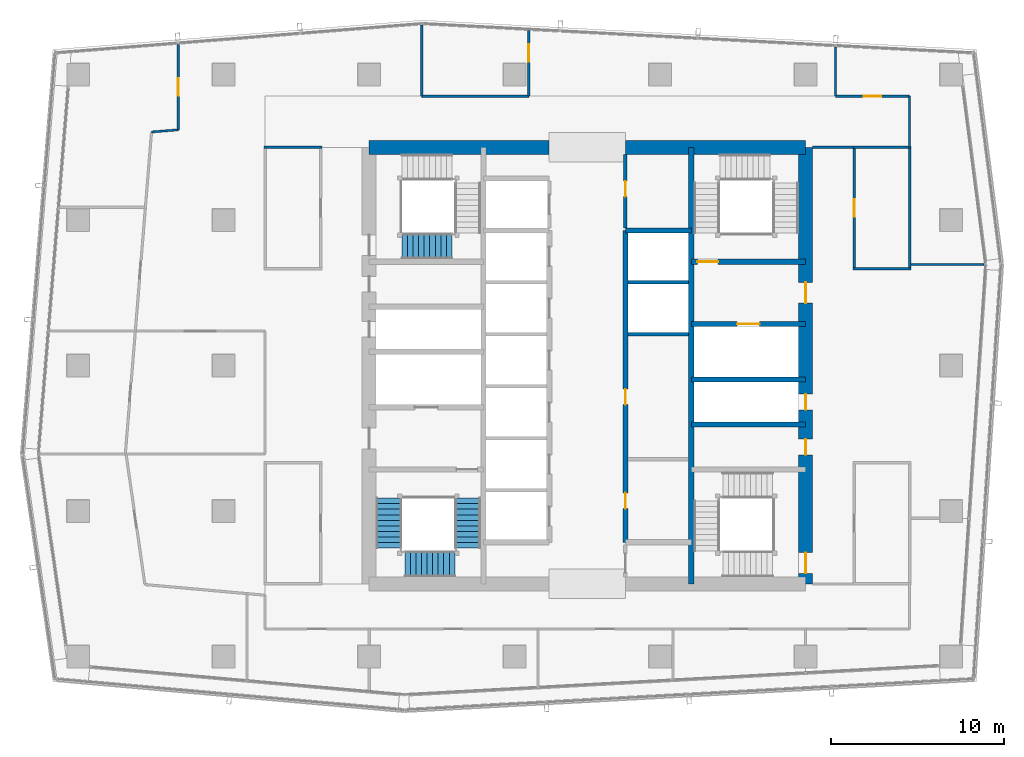
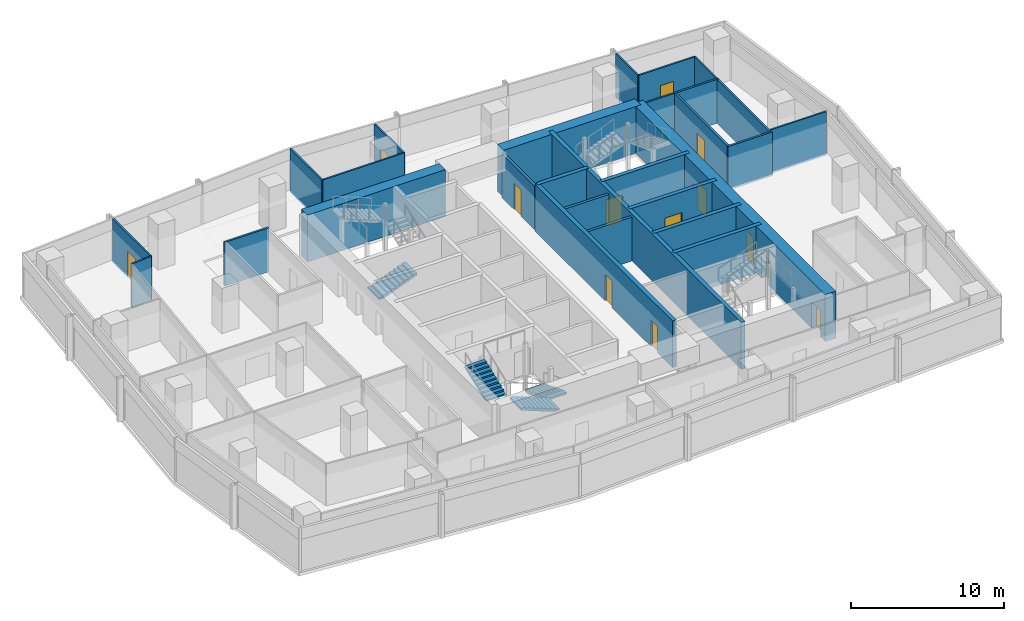
# One storey, part 24 of 30: 28 walls, 13 doors, 4 stair flights, 13 openings, 2 elements without a shape of their own.
"""IFC4 building model written with IfcOpenShell, lengths in metres."""

from ifc_helpers import new_model, si_unit, direction, frame, frame_2d, origin, place, context, subcontext, project, spatial, polyline, rectangle, outline, extrude, material, layer, layer_set, type_object, element, fill, aggregate, save


model = new_model("IFC4")

# Units and contexts
model_context = context("Model", 3, precision=1e-05, world=origin(), true_north=direction((0.0, 1.0)))
body_context = subcontext(model_context, "Body", "Model", "MODEL_VIEW")
ifc_project = project(units=[si_unit("LENGTHUNIT", "METRE"), si_unit("AREAUNIT", "SQUARE_METRE"), si_unit("VOLUMEUNIT", "CUBIC_METRE"), si_unit("PLANEANGLEUNIT", "RADIAN"), si_unit("MASSUNIT", "GRAM", prefix="KILO")], contexts=[model_context])

# Site, building, storey
site_placement = place(None, origin())
site = spatial("IfcSite", under=ifc_project, at=site_placement, CompositionType="ELEMENT")
building_placement = place(site_placement, origin())
building = spatial("IfcBuilding", under=site, at=building_placement, Name="Rekha Terrace Tower", CompositionType="ELEMENT")
storey_placement = place(building_placement, frame((0.0, 0.0, 265.10009765625)))
storey = spatial("IfcBuildingStorey", under=building, at=storey_placement, Name="L67", CompositionType="ELEMENT", Elevation=265.10009765625)

# Wall
ifc_material_1 = material(Name="Concrete M60", Category="concrete")
ifc_layer_1 = layer(ifc_material_1, 0.300048828125)
ifc_layer_set_1 = layer_set([ifc_layer_1], Name="Concrete M60")
wall_type_1 = type_object("IfcWallType", Name="CI5 300 core internal shear wall", PredefinedType="SHEAR", material=ifc_layer_set_1)
wall_1_placement = place(storey_placement, frame((43.800048828125, 21.0, 0.0), z_axis=(0.0, 0.0, 1.0), x_axis=(0.0, 1.0, 0.0)))
element("IfcWall", 1, at=wall_1_placement, inside=storey, type_object=wall_type_1, Name="Core wall X438 L67", PredefinedType="SHEAR", context=body_context, shape_type="SweptSolid", body=[
    extrude(rectangle(XDim=25.199951171875, YDim=0.300048828125, at=frame_2d((12.60009765625, 0.0))), origin(), (0.0, 0.0, 1.0), 3.75),
])

# Wall, openings, doors
wall_2_placement = place(storey_placement, frame((40.0, 23.39990234375, 0.0), z_axis=(0.0, 0.0, 1.0), x_axis=(0.0, 1.0, 0.0)))
wall_2 = element("IfcWall", 2, at=wall_2_placement, inside=storey, type_object=wall_type_1, Name="Core wall X400 L67", PredefinedType="SHEAR", context=body_context, shape_type="SweptSolid", body=[
    extrude(rectangle(XDim=18.0, YDim=0.300048828125, at=frame_2d((9.0, 0.0))), origin(), (0.0, 0.0, 1.0), 3.75),
])
opening_1_placement = place(wall_2_placement, frame((1.949951171875, 0.0, 0.0)))
opening_1 = element("IfcOpeningElement", 3, at=opening_1_placement, cuts=wall_2, Name="Opening D5", PredefinedType="OPENING", context=body_context, shape_type="SweptSolid", body=[
    extrude(rectangle(XDim=0.89990234375, YDim=2.10009765625, at=frame_2d((0.449951171875, 1.050048828125))), frame((0.0, 0.159912109375, 0.0), z_axis=(0.0, -1.0, 0.0), x_axis=(1.0, 0.0, 0.0)), (0.0, 0.0, 1.0), 0.320068359375),
])
opening_2_placement = place(wall_2_placement, frame((7.949951171875, 0.0, 0.0)))
opening_2 = element("IfcOpeningElement", 4, at=opening_2_placement, cuts=wall_2, Name="Opening D5", PredefinedType="OPENING", context=body_context, shape_type="SweptSolid", body=[
    extrude(rectangle(XDim=0.89990234375, YDim=2.10009765625, at=frame_2d((0.449951171875, 1.050048828125))), frame((0.0, 0.159912109375, 0.0), z_axis=(0.0, -1.0, 0.0), x_axis=(1.0, 0.0, 0.0)), (0.0, 0.0, 1.0), 0.320068359375),
])
ifc_material_2 = material(Name="Steel fire door", Category="steel")
door_type_1 = type_object("IfcDoorType", Name="D5 900x2100 riser access door", OperationType="SINGLE_SWING_LEFT", PredefinedType="DOOR", material=ifc_material_2)
door_1_placement = place(opening_1_placement, origin())
door_1 = element("IfcDoor", 5, at=door_1_placement, inside=storey, type_object=door_type_1, Name="Door records store L67", OperationType="SINGLE_SWING_LEFT", OverallHeight=2.10009765625, OverallWidth=0.89990234375, PredefinedType="DOOR", context=body_context, shape_type="SweptSolid", body=[
    extrude(rectangle(XDim=0.89990234375, YDim=2.10009765625, at=frame_2d((0.449951171875, 1.050048828125))), frame((0.0, 0.02490234375, 0.0), z_axis=(0.0, -1.0, 0.0), x_axis=(1.0, 0.0, 0.0)), (0.0, 0.0, 1.0), 0.050048828125),
])
fill(opening_1, door_1)
door_2_placement = place(opening_2_placement, origin())
door_2 = element("IfcDoor", 6, at=door_2_placement, inside=storey, type_object=door_type_1, Name="Door back-of-house store L67", OperationType="SINGLE_SWING_LEFT", OverallHeight=2.10009765625, OverallWidth=0.89990234375, PredefinedType="DOOR", context=body_context, shape_type="SweptSolid", body=[
    extrude(rectangle(XDim=0.89990234375, YDim=2.10009765625, at=frame_2d((0.449951171875, 1.050048828125))), frame((0.0, 0.02490234375, 0.0), z_axis=(0.0, -1.0, 0.0), x_axis=(1.0, 0.0, 0.0)), (0.0, 0.0, 1.0), 0.050048828125),
])
fill(opening_2, door_2)

# Walls
wall_3_placement = place(storey_placement, frame((40.0, 41.39990234375, 0.0), z_axis=(0.0, 0.0, 1.0), x_axis=(1.0, 0.0, 0.0)))
element("IfcWall", 7, at=wall_3_placement, inside=storey, type_object=wall_type_1, Name="Core wall Y414E L67", PredefinedType="SHEAR", context=body_context, shape_type="SweptSolid", body=[
    extrude(rectangle(XDim=3.800048828125, YDim=0.300048828125, at=frame_2d((1.89990234375, 0.0))), origin(), (0.0, 0.0, 1.0), 3.75),
])
for number, where, z_axis, x_axis, name in (
    (8, (43.800048828125, 30.199951171875, 0.0), (0.0, 0.0, 1.0), (1.0, 0.0, 0.0), "Core wall Y302E L67"),
    (9, (43.800048828125, 32.800048828125, 0.0), (0.0, 0.0, 1.0), (1.0, 0.0, 0.0), "Core wall Y328E L67"),
):
    element("IfcWall", number, at=place(storey_placement, frame(where, z_axis=z_axis, x_axis=x_axis)), inside=storey, type_object=wall_type_1, Name=name, PredefinedType="SHEAR", context=body_context, shape_type="SweptSolid", body=[
        extrude(rectangle(XDim=6.599853515625, YDim=0.300048828125, at=frame_2d((3.2998046875, 0.0))), origin(), (0.0, 0.0, 1.0), 3.75),
    ])

# Wall, opening, door
wall_4_placement = place(storey_placement, frame((43.800048828125, 36.0, 0.0), z_axis=(0.0, 0.0, 1.0), x_axis=(1.0, 0.0, 0.0)))
wall_4 = element("IfcWall", 10, at=wall_4_placement, inside=storey, type_object=wall_type_1, Name="Core wall Y360E L67", PredefinedType="SHEAR", context=body_context, shape_type="SweptSolid", body=[
    extrude(rectangle(XDim=6.599853515625, YDim=0.300048828125, at=frame_2d((3.2998046875, 0.0))), origin(), (0.0, 0.0, 1.0), 3.75),
])
opening_3_placement = place(wall_4_placement, frame((2.64990234375, 0.0, 0.0)))
opening_3 = element("IfcOpeningElement", 11, at=opening_3_placement, cuts=wall_4, Name="Opening LD2", PredefinedType="OPENING", context=body_context, shape_type="SweptSolid", body=[
    extrude(rectangle(XDim=1.300048828125, YDim=2.10009765625, at=frame_2d((0.64990234375, 1.050048828125))), frame((0.0, 0.159912109375, 0.0), z_axis=(0.0, -1.0, 0.0), x_axis=(1.0, 0.0, 0.0)), (0.0, 0.0, 1.0), 0.320068359375),
])
ifc_material_3 = material(Name="Stainless steel sliding landing door", Category="steel")
door_type_2 = type_object("IfcDoorType", Name="LD2 1300x2100 fire lift landing door", OperationType="SLIDING_TO_LEFT", PredefinedType="USERDEFINED", material=ifc_material_3)
door_3_placement = place(opening_3_placement, origin())
door_3 = element("IfcDoor", 12, at=door_3_placement, inside=storey, type_object=door_type_2, Name="Lift FL2 landing door L67", ObjectType="LIFT LANDING DOOR", OperationType="SLIDING_TO_LEFT", OverallHeight=2.10009765625, OverallWidth=1.300048828125, PredefinedType="USERDEFINED", context=body_context, shape_type="SweptSolid", body=[
    extrude(rectangle(XDim=1.300048828125, YDim=2.10009765625, at=frame_2d((0.64990234375, 1.050048828125))), frame((0.0, 0.02490234375, 0.0), z_axis=(0.0, -1.0, 0.0), x_axis=(1.0, 0.0, 0.0)), (0.0, 0.0, 1.0), 0.050048828125),
])
fill(opening_3, door_3)

wall_5_placement = place(storey_placement, frame((43.800048828125, 39.60009765625, 0.0), z_axis=(0.0, 0.0, 1.0), x_axis=(1.0, 0.0, 0.0)))
wall_5 = element("IfcWall", 13, at=wall_5_placement, inside=storey, type_object=wall_type_1, Name="Core wall Y396E L67", PredefinedType="SHEAR", context=body_context, shape_type="SweptSolid", body=[
    extrude(rectangle(XDim=6.599853515625, YDim=0.300048828125, at=frame_2d((3.2998046875, 0.0))), origin(), (0.0, 0.0, 1.0), 3.75),
])
opening_4_placement = place(wall_5_placement, frame((0.35009765625, 0.0, 0.0)))
opening_4 = element("IfcOpeningElement", 14, at=opening_4_placement, cuts=wall_5, Name="Opening D1", PredefinedType="OPENING", context=body_context, shape_type="SweptSolid", body=[
    extrude(rectangle(XDim=1.199951171875, YDim=2.10009765625, at=frame_2d((0.60009765625, 1.050048828125))), frame((0.0, 0.159912109375, 0.0), z_axis=(0.0, -1.0, 0.0), x_axis=(1.0, 0.0, 0.0)), (0.0, 0.0, 1.0), 0.320068359375),
])
door_type_3 = type_object("IfcDoorType", Name="D1 1200x2100 stair fire door", OperationType="SINGLE_SWING_RIGHT", PredefinedType="DOOR", material=ifc_material_2)
door_4_placement = place(opening_4_placement, origin())
door_4 = element("IfcDoor", 15, at=door_4_placement, inside=storey, type_object=door_type_3, Name="Stair ST2 door L67", OperationType="SINGLE_SWING_RIGHT", OverallHeight=2.10009765625, OverallWidth=1.199951171875, PredefinedType="DOOR", context=body_context, shape_type="SweptSolid", body=[
    extrude(rectangle(XDim=1.199951171875, YDim=2.10009765625, at=frame_2d((0.60009765625, 1.050048828125))), frame((0.0, 0.02490234375, 0.0), z_axis=(0.0, -1.0, 0.0), x_axis=(1.0, 0.0, 0.0)), (0.0, 0.0, 1.0), 0.050048828125),
])
fill(opening_4, door_4)

# Walls
ifc_layer_2 = layer(ifc_material_1, 0.800048828125)
ifc_layer_set_2 = layer_set([ifc_layer_2], Name="Concrete M60")
wall_type_2 = type_object("IfcWallType", Name="SW5 800 core outer shear wall", PredefinedType="SHEAR", material=ifc_layer_set_2)
wall_6_placement = place(storey_placement, frame((25.199951171875, 46.199951171875, 0.0), z_axis=(0.0, 0.0, 1.0), x_axis=(1.0, 0.0, 0.0)))
element("IfcWall", 16, at=wall_6_placement, inside=storey, type_object=wall_type_2, Name="Core wall N1 L67", PredefinedType="SHEAR", context=body_context, shape_type="SweptSolid", body=[
    extrude(rectangle(XDim=10.400146484375, YDim=0.800048828125, at=frame_2d((5.2001953125, 0.0))), origin(), (0.0, 0.0, 1.0), 3.75),
])
wall_7_placement = place(storey_placement, frame((40.0, 46.199951171875, 0.0), z_axis=(0.0, 0.0, 1.0), x_axis=(1.0, 0.0, 0.0)))
element("IfcWall", 17, at=wall_7_placement, inside=storey, type_object=wall_type_2, Name="Core wall N2 L67", PredefinedType="SHEAR", context=body_context, shape_type="SweptSolid", body=[
    extrude(rectangle(XDim=10.39990234375, YDim=0.800048828125, at=frame_2d((5.199951171875, 0.0))), origin(), (0.0, 0.0, 1.0), 3.75),
])

# Wall, openings, doors
wall_8_placement = place(storey_placement, frame((50.39990234375, 21.0, 0.0), z_axis=(0.0, 0.0, 1.0), x_axis=(0.0, 1.0, 0.0)))
wall_8 = element("IfcWall", 18, at=wall_8_placement, inside=storey, type_object=wall_type_2, Name="Core wall E L67", PredefinedType="SHEAR", context=body_context, shape_type="SweptSolid", body=[
    extrude(rectangle(XDim=25.199951171875, YDim=0.800048828125, at=frame_2d((12.60009765625, 0.0))), origin(), (0.0, 0.0, 1.0), 3.75),
])
opening_5_placement = place(wall_8_placement, frame((16.199951171875, 0.0, 0.0)))
opening_5 = element("IfcOpeningElement", 19, at=opening_5_placement, cuts=wall_8, Name="Opening D2", PredefinedType="OPENING", context=body_context, shape_type="SweptSolid", body=[
    extrude(rectangle(XDim=1.199951171875, YDim=2.10009765625, at=frame_2d((0.60009765625, 1.050048828125))), frame((0.0, 0.409912109375, 0.0), z_axis=(0.0, -1.0, 0.0), x_axis=(1.0, 0.0, 0.0)), (0.0, 0.0, 1.0), 0.820068359375),
])
opening_6_placement = place(wall_8_placement, frame((10.050048828125, 0.0, 0.0)))
opening_6 = element("IfcOpeningElement", 20, at=opening_6_placement, cuts=wall_8, Name="Opening D5", PredefinedType="OPENING", context=body_context, shape_type="SweptSolid", body=[
    extrude(rectangle(XDim=0.89990234375, YDim=2.10009765625, at=frame_2d((0.449951171875, 1.050048828125))), frame((0.0, 0.409912109375, 0.0), z_axis=(0.0, -1.0, 0.0), x_axis=(1.0, 0.0, 0.0)), (0.0, 0.0, 1.0), 0.820068359375),
])
opening_7_placement = place(wall_8_placement, frame((7.449951171875, 0.0, 0.0)))
opening_7 = element("IfcOpeningElement", 21, at=opening_7_placement, cuts=wall_8, Name="Opening D5", PredefinedType="OPENING", context=body_context, shape_type="SweptSolid", body=[
    extrude(rectangle(XDim=0.89990234375, YDim=2.10009765625, at=frame_2d((0.449951171875, 1.050048828125))), frame((0.0, 0.409912109375, 0.0), z_axis=(0.0, -1.0, 0.0), x_axis=(1.0, 0.0, 0.0)), (0.0, 0.0, 1.0), 0.820068359375),
])
opening_8_placement = place(wall_8_placement, frame((0.60009765625, 0.0, 0.0)))
opening_8 = element("IfcOpeningElement", 22, at=opening_8_placement, cuts=wall_8, Name="Opening D1", PredefinedType="OPENING", context=body_context, shape_type="SweptSolid", body=[
    extrude(rectangle(XDim=1.199951171875, YDim=2.10009765625, at=frame_2d((0.60009765625, 1.050048828125))), frame((0.0, 0.409912109375, 0.0), z_axis=(0.0, -1.0, 0.0), x_axis=(1.0, 0.0, 0.0)), (0.0, 0.0, 1.0), 0.820068359375),
])
door_5_placement = place(opening_8_placement, origin())
door_5 = element("IfcDoor", 23, at=door_5_placement, inside=storey, type_object=door_type_3, Name="Stair ST3 door L67", OperationType="SINGLE_SWING_RIGHT", OverallHeight=2.10009765625, OverallWidth=1.199951171875, PredefinedType="DOOR", context=body_context, shape_type="SweptSolid", body=[
    extrude(rectangle(XDim=1.199951171875, YDim=2.10009765625, at=frame_2d((0.60009765625, 1.050048828125))), frame((0.0, 0.02490234375, 0.0), z_axis=(0.0, -1.0, 0.0), x_axis=(1.0, 0.0, 0.0)), (0.0, 0.0, 1.0), 0.050048828125),
])
fill(opening_8, door_5)
door_type_4 = type_object("IfcDoorType", Name="D2 1200x2100 firefighting lobby door", OperationType="SINGLE_SWING_LEFT", PredefinedType="DOOR", material=ifc_material_2)
door_6_placement = place(opening_5_placement, origin())
door_6 = element("IfcDoor", 24, at=door_6_placement, inside=storey, type_object=door_type_4, Name="Door flb2 L67", OperationType="SINGLE_SWING_LEFT", OverallHeight=2.10009765625, OverallWidth=1.199951171875, PredefinedType="DOOR", context=body_context, shape_type="SweptSolid", body=[
    extrude(rectangle(XDim=1.199951171875, YDim=2.10009765625, at=frame_2d((0.60009765625, 1.050048828125))), frame((0.0, 0.02490234375, 0.0), z_axis=(0.0, -1.0, 0.0), x_axis=(1.0, 0.0, 0.0)), (0.0, 0.0, 1.0), 0.050048828125),
])
fill(opening_5, door_6)
door_7_placement = place(opening_6_placement, origin())
door_7 = element("IfcDoor", 25, at=door_7_placement, inside=storey, type_object=door_type_1, Name="Door rs2 L67", OperationType="SINGLE_SWING_LEFT", OverallHeight=2.10009765625, OverallWidth=0.89990234375, PredefinedType="DOOR", context=body_context, shape_type="SweptSolid", body=[
    extrude(rectangle(XDim=0.89990234375, YDim=2.10009765625, at=frame_2d((0.449951171875, 1.050048828125))), frame((0.0, 0.02490234375, 0.0), z_axis=(0.0, -1.0, 0.0), x_axis=(1.0, 0.0, 0.0)), (0.0, 0.0, 1.0), 0.050048828125),
])
fill(opening_6, door_7)
door_8_placement = place(opening_7_placement, origin())
door_8 = element("IfcDoor", 26, at=door_8_placement, inside=storey, type_object=door_type_1, Name="Door ele L67", OperationType="SINGLE_SWING_LEFT", OverallHeight=2.10009765625, OverallWidth=0.89990234375, PredefinedType="DOOR", context=body_context, shape_type="SweptSolid", body=[
    extrude(rectangle(XDim=0.89990234375, YDim=2.10009765625, at=frame_2d((0.449951171875, 1.050048828125))), frame((0.0, 0.02490234375, 0.0), z_axis=(0.0, -1.0, 0.0), x_axis=(1.0, 0.0, 0.0)), (0.0, 0.0, 1.0), 0.050048828125),
])
fill(opening_7, door_8)

# Walls
ifc_material_4 = material(Name="Concrete block masonry, 1 hour", Category="masonry")
ifc_layer_3 = layer(ifc_material_4, 0.14990234375)
ifc_layer_set_3 = layer_set([ifc_layer_3], Name="Concrete block masonry, 1 hour")
wall_type_3 = type_object("IfcWallType", Name="WP2 150 tenancy partition", PredefinedType="PARTITIONING", material=ifc_layer_set_3)
for number, where, z_axis, x_axis, name in (
    (27, (53.125, 39.199951171875, 0.0), (0.0, 0.0, 1.0), (1.0, 0.0, 0.0), "Women's WC wall L67"),
    (28, (53.125, 46.199951171875, 0.0), (0.0, 0.0, 1.0), (1.0, 0.0, 0.0), "Women's WC wall L67"),
):
    element("IfcWall", number, at=place(storey_placement, frame(where, z_axis=z_axis, x_axis=x_axis)), inside=storey, type_object=wall_type_3, Name=name, PredefinedType="PARTITIONING", context=body_context, shape_type="SweptSolid", body=[
        extrude(rectangle(XDim=3.35009765625, YDim=0.14990234375, at=frame_2d((1.675048828125, 0.0))), origin(), (0.0, 0.0, 1.0), 3.5),
    ])

# Wall, opening, door
wall_9_placement = place(storey_placement, frame((53.199951171875, 39.27490234375, 0.0), z_axis=(0.0, 0.0, 1.0), x_axis=(0.0, 1.0, 0.0)))
wall_9 = element("IfcWall", 29, at=wall_9_placement, inside=storey, type_object=wall_type_3, Name="Women's WC wall L67", PredefinedType="PARTITIONING", context=body_context, shape_type="SweptSolid", body=[
    extrude(rectangle(XDim=6.85009765625, YDim=0.14990234375, at=frame_2d((3.425048828125, 0.0))), origin(), (0.0, 0.0, 1.0), 3.5),
])
opening_9_placement = place(wall_9_placement, frame((2.925048828125, 0.0, 0.0)))
opening_9 = element("IfcOpeningElement", 30, at=opening_9_placement, cuts=wall_9, Name="Opening D3", PredefinedType="OPENING", context=body_context, shape_type="SweptSolid", body=[
    extrude(rectangle(XDim=1.0, YDim=2.10009765625, at=frame_2d((0.5, 1.050048828125))), frame((0.0, 0.0849609375, 0.0), z_axis=(0.0, -1.0, 0.0), x_axis=(1.0, 0.0, 0.0)), (0.0, 0.0, 1.0), 0.169921875),
])
ifc_material_5 = material(Name="Laminated timber fire door", Category="wood")
door_type_5 = type_object("IfcDoorType", Name="D3 1000x2100 WC door", OperationType="SINGLE_SWING_LEFT", PredefinedType="DOOR", material=ifc_material_5)
door_9_placement = place(opening_9_placement, origin())
door_9 = element("IfcDoor", 31, at=door_9_placement, inside=storey, type_object=door_type_5, Name="Door women's wc L67", OperationType="SINGLE_SWING_LEFT", OverallHeight=2.10009765625, OverallWidth=1.0, PredefinedType="DOOR", context=body_context, shape_type="SweptSolid", body=[
    extrude(rectangle(XDim=1.0, YDim=2.10009765625, at=frame_2d((0.5, 1.050048828125))), frame((0.0, 0.02490234375, 0.0), z_axis=(0.0, -1.0, 0.0), x_axis=(1.0, 0.0, 0.0)), (0.0, 0.0, 1.0), 0.050048828125),
])
fill(opening_9, door_9)

# Walls
wall_10_placement = place(storey_placement, frame((56.39990234375, 39.27490234375, 0.0), z_axis=(0.0, 0.0, 1.0), x_axis=(0.0, 1.0, 0.0)))
element("IfcWall", 32, at=wall_10_placement, inside=storey, type_object=wall_type_3, Name="Women's WC wall L67", PredefinedType="PARTITIONING", context=body_context, shape_type="SweptSolid", body=[
    extrude(rectangle(XDim=6.85009765625, YDim=0.14990234375, at=frame_2d((3.425048828125, 0.0))), origin(), (0.0, 0.0, 1.0), 3.5),
])
wall_11_placement = place(storey_placement, frame((19.125, 46.199951171875, 0.0), z_axis=(0.0, 0.0, 1.0), x_axis=(1.0, 0.0, 0.0)))
element("IfcWall", 33, at=wall_11_placement, inside=storey, type_object=wall_type_3, Name="Women's WC wall L67", PredefinedType="PARTITIONING", context=body_context, shape_type="SweptSolid", body=[
    extrude(rectangle(XDim=3.35009765625, YDim=0.14990234375, at=frame_2d((1.675048828125, 0.0))), origin(), (0.0, 0.0, 1.0), 3.5),
])
ifc_material_6 = material(Name="Two layers of fire-rated gypsum board each side on steel studs, acoustic quilt, 1 hour", Category="steel")
ifc_layer_4 = layer(ifc_material_6, 0.125)
ifc_layer_set_4 = layer_set([ifc_layer_4], Name="Two layers of fire-rated gypsum board each side on steel studs, acoustic quilt, 1 hour")
wall_type_4 = type_object("IfcWallType", Name="WP3 125 office partition", PredefinedType="PARTITIONING", material=ifc_layer_set_4)
wall_12_placement = place(storey_placement, frame((50.800048828125, 46.199951171875, 0.0), z_axis=(0.0, 0.0, 1.0), x_axis=(1.0, 0.0, 0.0)))
element("IfcWall", 34, at=wall_12_placement, inside=storey, type_object=wall_type_4, Name="Partition L67-02", PredefinedType="PARTITIONING", context=body_context, shape_type="SweptSolid", body=[
    extrude(rectangle(XDim=2.323974609375, YDim=0.125, at=frame_2d((1.162109375, 0.0))), origin(), (0.0, 0.0, 1.0), 3.5),
])
wall_13_placement = place(storey_placement, frame((56.47509765625, 39.43896484375, 0.0), z_axis=(0.0, 0.0, 1.0), x_axis=(1.0, 0.0, 0.0)))
element("IfcWall", 35, at=wall_13_placement, inside=storey, type_object=wall_type_4, Name="Partition L67-02", PredefinedType="PARTITIONING", context=body_context, shape_type="SweptSolid", body=[
    extrude(rectangle(XDim=4.224853515625, YDim=0.125, at=frame_2d((2.1123046875, 0.0))), origin(), (0.0, 0.0, 1.0), 3.5),
])
wall_14_placement = place(storey_placement, frame((56.39990234375, 46.125, 0.0), z_axis=(0.0, 0.0, 1.0), x_axis=(0.0, 1.0, 0.0)))
element("IfcWall", 36, at=wall_14_placement, inside=storey, type_object=wall_type_4, Name="Partition L67-03", PredefinedType="PARTITIONING", context=body_context, shape_type="SweptSolid", body=[
    extrude(rectangle(XDim=3.02490234375, YDim=0.125, at=frame_2d((1.512451171875, 0.0))), origin(), (0.0, 0.0, 1.0), 3.5),
])

# Wall, opening, door
wall_15_placement = place(storey_placement, frame((56.39990234375, 49.14990234375, 0.0), z_axis=(0.0, 0.0, 1.0), x_axis=(-1.0, 0.0, 0.0)))
wall_15 = element("IfcWall", 37, at=wall_15_placement, inside=storey, type_object=wall_type_4, Name="Partition L67-03", PredefinedType="PARTITIONING", context=body_context, shape_type="SweptSolid", body=[
    extrude(rectangle(XDim=4.27685546875, YDim=0.125, at=frame_2d((2.138427734375, 0.0))), origin(), (0.0, 0.0, 1.0), 3.5),
])
opening_10_placement = place(wall_15_placement, frame((1.638916015625, 0.0, 0.0)))
opening_10 = element("IfcOpeningElement", 38, at=opening_10_placement, cuts=wall_15, Name="Opening D9", PredefinedType="OPENING", context=body_context, shape_type="SweptSolid", body=[
    extrude(rectangle(XDim=1.0, YDim=2.10009765625, at=frame_2d((0.5, 1.050048828125))), frame((0.0, 0.072509765625, 0.0), z_axis=(0.0, -1.0, 0.0), x_axis=(1.0, 0.0, 0.0)), (0.0, 0.0, 1.0), 0.14501953125),
])
ifc_material_7 = material(Name="Timber fire door", Category="wood")
door_type_6 = type_object("IfcDoorType", Name="D9 1000x2100 office door", OperationType="SINGLE_SWING_LEFT", PredefinedType="DOOR", material=ifc_material_7)
door_10_placement = place(opening_10_placement, origin())
door_10 = element("IfcDoor", 39, at=door_10_placement, inside=storey, type_object=door_type_6, Name="Door director's office L67", OperationType="SINGLE_SWING_LEFT", OverallHeight=2.10009765625, OverallWidth=1.0, PredefinedType="DOOR", context=body_context, shape_type="SweptSolid", body=[
    extrude(rectangle(XDim=1.0, YDim=2.10009765625, at=frame_2d((0.5, 1.050048828125))), frame((0.0, 0.02490234375, 0.0), z_axis=(0.0, -1.0, 0.0), x_axis=(1.0, 0.0, 0.0)), (0.0, 0.0, 1.0), 0.050048828125),
])
fill(opening_10, door_10)

# Wall
wall_16_placement = place(storey_placement, frame((52.123046875, 49.14990234375, 0.0), z_axis=(0.0, 0.0, 1.0), x_axis=(0.0, 1.0, 0.0)))
element("IfcWall", 40, at=wall_16_placement, inside=storey, type_object=wall_type_4, Name="Partition L67-03", PredefinedType="PARTITIONING", context=body_context, shape_type="SweptSolid", body=[
    extrude(rectangle(XDim=2.85205078125, YDim=0.125, at=frame_2d((1.426025390625, 0.0))), origin(), (0.0, 0.0, 1.0), 3.5),
])

# Wall, opening, door
wall_17_placement = place(storey_placement, frame((34.4169921875, 52.943115234375, 0.0), z_axis=(0.0, 0.0, 1.0), x_axis=(0.0, -1.0, 0.0)))
wall_17 = element("IfcWall", 41, at=wall_17_placement, inside=storey, type_object=wall_type_4, Name="Partition L67-04", PredefinedType="PARTITIONING", context=body_context, shape_type="SweptSolid", body=[
    extrude(rectangle(XDim=3.793212890625, YDim=0.125, at=frame_2d((1.896484375, 0.0))), origin(), (0.0, 0.0, 1.0), 3.5),
])
opening_11_placement = place(wall_17_placement, frame((0.7958984375, 0.0, 0.0)))
opening_11 = element("IfcOpeningElement", 42, at=opening_11_placement, cuts=wall_17, Name="Opening D9", PredefinedType="OPENING", context=body_context, shape_type="SweptSolid", body=[
    extrude(rectangle(XDim=1.0, YDim=2.10009765625, at=frame_2d((0.5, 1.050048828125))), frame((0.0, 0.072509765625, 0.0), z_axis=(0.0, -1.0, 0.0), x_axis=(1.0, 0.0, 0.0)), (0.0, 0.0, 1.0), 0.14501953125),
])
door_11_placement = place(opening_11_placement, origin())
door_11 = element("IfcDoor", 43, at=door_11_placement, inside=storey, type_object=door_type_6, Name="Door director's office L67", OperationType="SINGLE_SWING_LEFT", OverallHeight=2.10009765625, OverallWidth=1.0, PredefinedType="DOOR", context=body_context, shape_type="SweptSolid", body=[
    extrude(rectangle(XDim=1.0, YDim=2.10009765625, at=frame_2d((0.5, 1.050048828125))), frame((0.0, 0.02490234375, 0.0), z_axis=(0.0, -1.0, 0.0), x_axis=(1.0, 0.0, 0.0)), (0.0, 0.0, 1.0), 0.050048828125),
])
fill(opening_11, door_11)

# Walls
wall_18_placement = place(storey_placement, frame((34.4169921875, 49.14990234375, 0.0), z_axis=(0.0, 0.0, 1.0), x_axis=(-1.0, 0.0, 0.0)))
element("IfcWall", 44, at=wall_18_placement, inside=storey, type_object=wall_type_4, Name="Partition L67-04", PredefinedType="PARTITIONING", context=body_context, shape_type="SweptSolid", body=[
    extrude(rectangle(XDim=6.178955078125, YDim=0.125, at=frame_2d((3.08935546875, 0.0))), origin(), (0.0, 0.0, 1.0), 3.5),
])
wall_19_placement = place(storey_placement, frame((28.238037109375, 49.14990234375, 0.0), z_axis=(0.0, 0.0, 1.0), x_axis=(0.0, 1.0, 0.0)))
element("IfcWall", 45, at=wall_19_placement, inside=storey, type_object=wall_type_4, Name="Partition L67-04", PredefinedType="PARTITIONING", context=body_context, shape_type="SweptSolid", body=[
    extrude(rectangle(XDim=4.1171875, YDim=0.125, at=frame_2d((2.05859375, 0.0))), origin(), (0.0, 0.0, 1.0), 3.5),
])

# Wall, opening, door
wall_20_placement = place(storey_placement, frame((14.180908203125, 52.14599609375, 0.0), z_axis=(0.0, 0.0, 1.0), x_axis=(0.0, -1.0, 0.0)))
wall_20 = element("IfcWall", 46, at=wall_20_placement, inside=storey, type_object=wall_type_4, Name="Partition L67-05", PredefinedType="PARTITIONING", context=body_context, shape_type="SweptSolid", body=[
    extrude(rectangle(XDim=4.93603515625, YDim=0.125, at=frame_2d((2.468017578125, 0.0))), origin(), (0.0, 0.0, 1.0), 3.5),
])
opening_12_placement = place(wall_20_placement, frame((1.968017578125, 0.0, 0.0)))
opening_12 = element("IfcOpeningElement", 47, at=opening_12_placement, cuts=wall_20, Name="Opening D9", PredefinedType="OPENING", context=body_context, shape_type="SweptSolid", body=[
    extrude(rectangle(XDim=1.0, YDim=2.10009765625, at=frame_2d((0.5, 1.050048828125))), frame((0.0, 0.072509765625, 0.0), z_axis=(0.0, -1.0, 0.0), x_axis=(1.0, 0.0, 0.0)), (0.0, 0.0, 1.0), 0.14501953125),
])
door_12_placement = place(opening_12_placement, origin())
door_12 = element("IfcDoor", 48, at=door_12_placement, inside=storey, type_object=door_type_6, Name="Door director's office L67", OperationType="SINGLE_SWING_LEFT", OverallHeight=2.10009765625, OverallWidth=1.0, PredefinedType="DOOR", context=body_context, shape_type="SweptSolid", body=[
    extrude(rectangle(XDim=1.0, YDim=2.10009765625, at=frame_2d((0.5, 1.050048828125))), frame((0.0, 0.02490234375, 0.0), z_axis=(0.0, -1.0, 0.0), x_axis=(1.0, 0.0, 0.0)), (0.0, 0.0, 1.0), 0.050048828125),
])
fill(opening_12, door_12)

# Walls
wall_21_placement = place(storey_placement, frame((14.180908203125, 47.2099609375, 0.0), z_axis=(0.0, 0.0, 1.0), x_axis=(-0.9968142721, -0.079757801737, 0.0)))
element("IfcWall", 49, at=wall_21_placement, inside=storey, type_object=wall_type_4, Name="Partition L67-05", PredefinedType="PARTITIONING", context=body_context, shape_type="SweptSolid", body=[
    extrude(rectangle(XDim=1.542724609375, YDim=0.125, at=frame_2d((0.771484375, 0.0))), origin(), (0.0, 0.0, 1.0), 3.5),
])
ifc_material_8 = material(Name="Solid concrete block masonry, 2 hour", Category="masonry")
ifc_layer_5 = layer(ifc_material_8, 0.199951171875)
ifc_layer_set_5 = layer_set([ifc_layer_5], Name="Solid concrete block masonry, 2 hour")
wall_type_5 = type_object("IfcWallType", Name="WS1 200 stair and shaft enclosure", PredefinedType="PARTITIONING", material=ifc_layer_set_5)
for number, where, z_axis, x_axis, name in (
    (50, (40.14990234375, 35.39990234375, 0.0), (0.0, 0.0, 1.0), (1.0, 0.0, 0.0), "Lift shaft divider L67"),
    (51, (40.14990234375, 38.39990234375, 0.0), (0.0, 0.0, 1.0), (1.0, 0.0, 0.0), "Lift shaft divider L67"),
):
    element("IfcWall", number, at=place(storey_placement, frame(where, z_axis=z_axis, x_axis=x_axis)), inside=storey, type_object=wall_type_5, Name=name, PredefinedType="PARTITIONING", context=body_context, shape_type="SweptSolid", body=[
        extrude(rectangle(XDim=3.5, YDim=0.199951171875, at=frame_2d((1.75, 0.0))), origin(), (0.0, 0.0, 1.0), 3.5),
    ])

# Wall, opening, door
wall_22_placement = place(storey_placement, frame((40.0, 41.550048828125, 0.0), z_axis=(0.0, 0.0, 1.0), x_axis=(0.0, 1.0, 0.0)))
wall_22 = element("IfcWall", 52, at=wall_22_placement, inside=storey, type_object=wall_type_5, Name="Core partition elec L67", PredefinedType="PARTITIONING", context=body_context, shape_type="SweptSolid", body=[
    extrude(rectangle(XDim=4.25, YDim=0.199951171875, at=frame_2d((2.125, 0.0))), origin(), (0.0, 0.0, 1.0), 3.5),
])
opening_13_placement = place(wall_22_placement, frame((1.800048828125, 0.0, 0.0)))
opening_13 = element("IfcOpeningElement", 53, at=opening_13_placement, cuts=wall_22, Name="Opening D5", PredefinedType="OPENING", context=body_context, shape_type="SweptSolid", body=[
    extrude(rectangle(XDim=0.89990234375, YDim=2.10009765625, at=frame_2d((0.449951171875, 1.050048828125))), frame((0.0, 0.10986328125, 0.0), z_axis=(0.0, -1.0, 0.0), x_axis=(1.0, 0.0, 0.0)), (0.0, 0.0, 1.0), 0.219970703125),
])
door_13_placement = place(opening_13_placement, origin())
door_13 = element("IfcDoor", 54, at=door_13_placement, inside=storey, type_object=door_type_1, Name="Door electrical room L67", OperationType="SINGLE_SWING_LEFT", OverallHeight=2.10009765625, OverallWidth=0.89990234375, PredefinedType="DOOR", context=body_context, shape_type="SweptSolid", body=[
    extrude(rectangle(XDim=0.89990234375, YDim=2.10009765625, at=frame_2d((0.449951171875, 1.050048828125))), frame((0.0, 0.02490234375, 0.0), z_axis=(0.0, -1.0, 0.0), x_axis=(1.0, 0.0, 0.0)), (0.0, 0.0, 1.0), 0.050048828125),
])
fill(opening_13, door_13)

# Stair, stair flights
ifc_material_9 = material(Name="Concrete M40", Category="concrete")
stair_type = type_object("IfcStairType", Name="ST30 stair, 30 risers of 125, going 320, 1500 wide flights, 3 flights", PredefinedType="HALF_TURN_STAIR", material=ifc_material_9)
stair_1_placement = place(storey_placement, origin())
stair_1 = element("IfcStair", 55, at=stair_1_placement, inside=storey, type_object=stair_type, Name="Stair ST1 L67 to L68", PredefinedType="HALF_TURN_STAIR")
stair_flight_type = type_object("IfcStairFlightType", Name="SF10 stair flight, 10 risers of 125, going 320, 1500 wide", PredefinedType="STRAIGHT", material=ifc_material_9)
stair_flight_1_placement = place(storey_placement, frame((30.89990234375, 25.949951171875, 0.0), z_axis=(0.0, 0.0, 1.0), x_axis=(0.0, -1.0, 0.0)))
stair_flight_1 = element("IfcStairFlight", 56, at=stair_flight_1_placement, type_object=stair_flight_type, Name="ST1 flight 1", NumberOfRisers=10, NumberOfTreads=9, PredefinedType="STRAIGHT", RiserHeight=0.125, TreadLength=0.32, context=body_context, shape_type="SweptSolid", body=[
    extrude(outline(polyline([(0.0, 0.0), (0.0, 0.125), (0.320068359375, 0.125), (0.320068359375, 0.25), (0.639892578125, 0.25), (0.639892578125, 0.375), (0.9599609375, 0.375), (0.9599609375, 0.5), (1.280029296875, 0.5), (1.280029296875, 0.625), (1.60009765625, 0.625), (1.60009765625, 0.75), (1.919921875, 0.75), (1.919921875, 0.875), (2.239990234375, 0.875), (2.239990234375, 1.0), (2.56005859375, 1.0), (2.56005859375, 1.125), (2.8798828125, 1.125), (2.8798828125, 1.25), (2.8798828125, 0.964111328125), (0.412109375, 0.0), (0.0, 0.0)])), frame((0.0, 0.75, 0.0), z_axis=(0.0, -1.0, 0.0), x_axis=(1.0, 0.0, 0.0)), (0.0, 0.0, 1.0), 1.5),
])
stair_flight_2_placement = place(storey_placement, frame((30.14990234375, 22.14990234375, 1.25), z_axis=(0.0, 0.0, 1.0), x_axis=(-1.0, 0.0, 0.0)))
stair_flight_2 = element("IfcStairFlight", 57, at=stair_flight_2_placement, type_object=stair_flight_type, Name="ST1 flight 2", NumberOfRisers=10, NumberOfTreads=9, PredefinedType="STRAIGHT", RiserHeight=0.125, TreadLength=0.32, context=body_context, shape_type="SweptSolid", body=[
    extrude(outline(polyline([(0.0, 0.0), (0.0, 0.125), (0.320068359375, 0.125), (0.320068359375, 0.25), (0.639892578125, 0.25), (0.639892578125, 0.375), (0.9599609375, 0.375), (0.9599609375, 0.5), (1.280029296875, 0.5), (1.280029296875, 0.625), (1.60009765625, 0.625), (1.60009765625, 0.75), (1.919921875, 0.75), (1.919921875, 0.875), (2.239990234375, 0.875), (2.239990234375, 1.0), (2.56005859375, 1.0), (2.56005859375, 1.125), (2.8798828125, 1.125), (2.8798828125, 1.25), (2.8798828125, 0.964111328125), (0.412109375, 0.0), (0.0, 0.0)])), frame((0.0, 0.75, 0.0), z_axis=(0.0, -1.0, 0.0), x_axis=(1.0, 0.0, 0.0)), (0.0, 0.0, 1.0), 1.5),
])
stair_flight_3_placement = place(storey_placement, frame((26.35009765625, 23.070068359375, 2.5), z_axis=(0.0, 0.0, 1.0), x_axis=(0.0, 1.0, 0.0)))
stair_flight_3 = element("IfcStairFlight", 58, at=stair_flight_3_placement, type_object=stair_flight_type, Name="ST1 flight 3", NumberOfRisers=10, NumberOfTreads=9, PredefinedType="STRAIGHT", RiserHeight=0.125, TreadLength=0.32, context=body_context, shape_type="SweptSolid", body=[
    extrude(outline(polyline([(0.0, 0.0), (0.0, 0.125), (0.320068359375, 0.125), (0.320068359375, 0.25), (0.639892578125, 0.25), (0.639892578125, 0.375), (0.9599609375, 0.375), (0.9599609375, 0.5), (1.280029296875, 0.5), (1.280029296875, 0.625), (1.60009765625, 0.625), (1.60009765625, 0.75), (1.919921875, 0.75), (1.919921875, 0.875), (2.239990234375, 0.875), (2.239990234375, 1.0), (2.56005859375, 1.0), (2.56005859375, 1.125), (2.8798828125, 1.125), (2.8798828125, 1.25), (2.8798828125, 0.964111328125), (0.412109375, 0.0), (0.0, 0.0)])), frame((0.0, 0.75, 0.0), z_axis=(0.0, -1.0, 0.0), x_axis=(1.0, 0.0, 0.0)), (0.0, 0.0, 1.0), 1.5),
])
aggregate(stair_1, [stair_flight_1, stair_flight_2, stair_flight_3])

# Stair, stair flight
stair_2_placement = place(storey_placement, origin())
stair_2 = element("IfcStair", 59, at=stair_2_placement, inside=storey, type_object=stair_type, Name="Stair ST4 L67 to L68", PredefinedType="HALF_TURN_STAIR")
stair_flight_4_placement = place(storey_placement, frame((27.10009765625, 40.5, 0.0), z_axis=(0.0, 0.0, 1.0), x_axis=(1.0, 0.0, 0.0)))
stair_flight_4 = element("IfcStairFlight", 60, at=stair_flight_4_placement, type_object=stair_flight_type, Name="ST4 flight 1", NumberOfRisers=10, NumberOfTreads=9, PredefinedType="STRAIGHT", RiserHeight=0.125, TreadLength=0.32, context=body_context, shape_type="SweptSolid", body=[
    extrude(outline(polyline([(0.0, 0.0), (0.0, 0.125), (0.320068359375, 0.125), (0.320068359375, 0.25), (0.639892578125, 0.25), (0.639892578125, 0.375), (0.9599609375, 0.375), (0.9599609375, 0.5), (1.280029296875, 0.5), (1.280029296875, 0.625), (1.60009765625, 0.625), (1.60009765625, 0.75), (1.919921875, 0.75), (1.919921875, 0.875), (2.239990234375, 0.875), (2.239990234375, 1.0), (2.56005859375, 1.0), (2.56005859375, 1.125), (2.8798828125, 1.125), (2.8798828125, 1.25), (2.8798828125, 0.964111328125), (0.412109375, 0.0), (0.0, 0.0)])), frame((0.0, 0.75, 0.0), z_axis=(0.0, -1.0, 0.0), x_axis=(1.0, 0.0, 0.0)), (0.0, 0.0, 1.0), 1.5),
])
aggregate(stair_2, [stair_flight_4])

save(model, "model.ifc")
